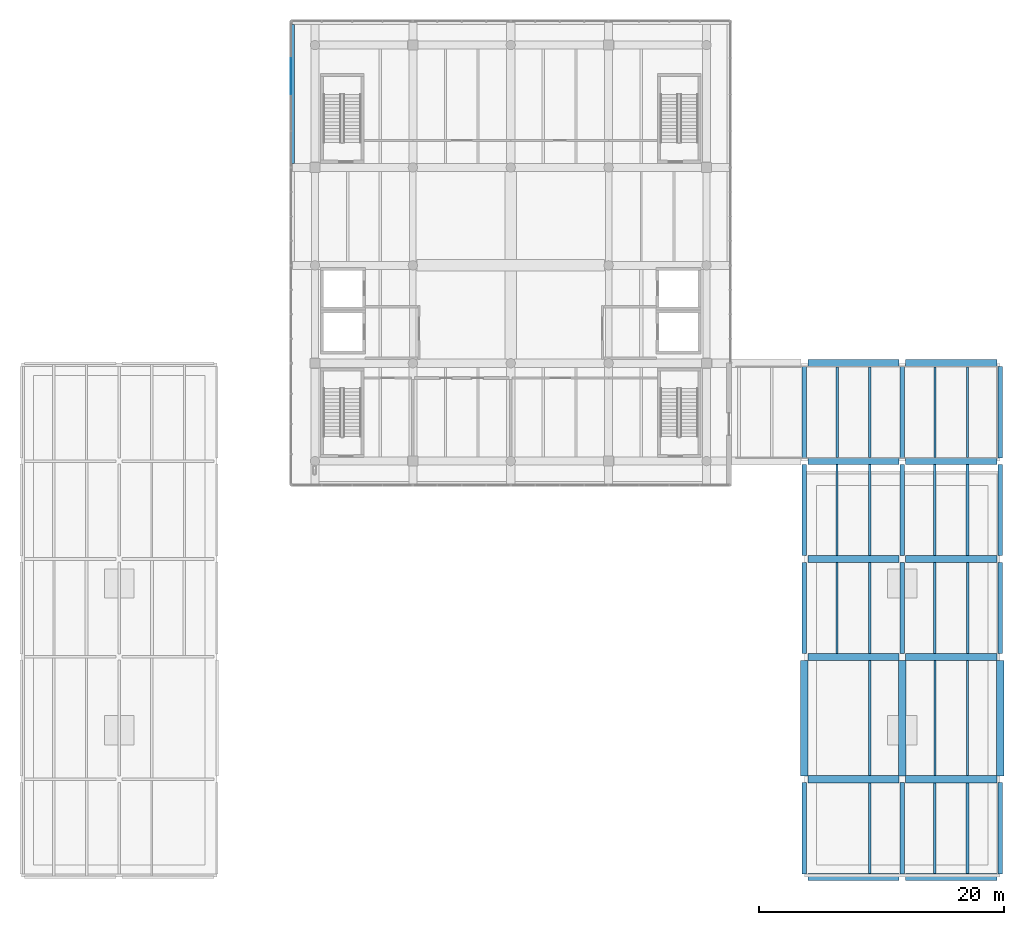
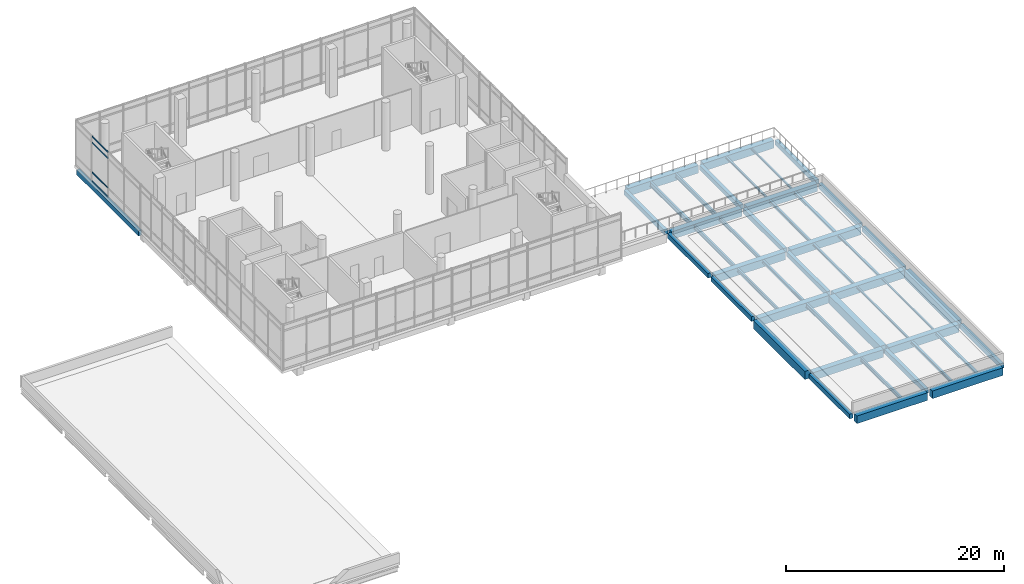
# One storey, part 7 of 20: 46 beams, 4 members, 1 element without a shape of its own.
"""IFC4 building model written with IfcOpenShell, lengths in metres."""

from ifc_helpers import new_model, si_unit, direction, frame, origin, origin_2d, place, context, subcontext, project, spatial, rectangle, i_section, extrude, material, material_profile, profile_set, type_object, element, aggregate, save


model = new_model("IFC4")

# Units and contexts
model_context = context("Model", 3, precision=1e-05, world=origin(), true_north=direction((0.0, 1.0)))
body_context = subcontext(model_context, "Body", "Model", "MODEL_VIEW")
ifc_project = project(units=[si_unit("LENGTHUNIT", "METRE"), si_unit("AREAUNIT", "SQUARE_METRE"), si_unit("VOLUMEUNIT", "CUBIC_METRE"), si_unit("PLANEANGLEUNIT", "RADIAN"), si_unit("MASSUNIT", "GRAM", prefix="KILO")], contexts=[model_context])

# Site, building, storey
site_placement = place(None, origin())
site = spatial("IfcSite", under=ifc_project, at=site_placement, CompositionType="ELEMENT")
building_placement = place(site_placement, origin())
building = spatial("IfcBuilding", under=site, at=building_placement, Name="Pecanmere Concourse Central Library", CompositionType="ELEMENT")
storey_placement = place(building_placement, frame((0.0, 0.0, 24.89990234375)))
storey = spatial("IfcBuildingStorey", under=building, at=storey_placement, Name="L06", CompositionType="ELEMENT", Elevation=24.89990234375)

# Beams
ifc_material_1 = material(Name="Concrete C40/50", Category="concrete")
ifc_material_profile_1 = material_profile(ifc_material_1, rectangle(XDim=0.360107421875, YDim=0.52001953125, at=origin_2d()), Name="RC 360x520")
ifc_profile_set_1 = profile_set([ifc_material_profile_1], Name="Concrete C40/50")
beam_type_1 = type_object("IfcBeamType", Name="BM_360x520", PredefinedType="BEAM", material=ifc_profile_set_1)
for number, where, z_axis, x_axis, name in (
    (1, (112.0, 56.27490234375, -0.559814453125), (0.0, 1.0, 0.0), (-1.0, 0.0, 0.0), "Primary Girder Y L06-2703"),
    (2, (112.0, 74.27490234375, -0.559814453125), (0.0, 1.0, 0.0), (-1.0, 0.0, 0.0), "Primary Girder Y L06-2705"),
    (3, (112.0, 82.27490234375, -0.559814453125), (0.0, 1.0, 0.0), (-1.0, 0.0, 0.0), "Primary Girder Y L06-2706"),
    (4, (112.0, 90.27490234375, -0.559814453125), (0.0, 1.0, 0.0), (-1.0, 0.0, 0.0), "Primary Girder Y L06-2707"),
    (5, (120.0, 56.27490234375, -0.559814453125), (0.0, 1.0, 0.0), (-1.0, 0.0, 0.0), "Primary Girder Y L06-2708"),
    (6, (120.0, 74.27490234375, -0.559814453125), (0.0, 1.0, 0.0), (-1.0, 0.0, 0.0), "Primary Girder Y L06-2710"),
    (7, (120.0, 82.27490234375, -0.559814453125), (0.0, 1.0, 0.0), (-1.0, 0.0, 0.0), "Primary Girder Y L06-2711"),
    (8, (120.0, 90.27490234375, -0.559814453125), (0.0, 1.0, 0.0), (-1.0, 0.0, 0.0), "Primary Girder Y L06-2712"),
    (9, (128.0, 56.27490234375, -0.559814453125), (0.0, 1.0, 0.0), (-1.0, 0.0, 0.0), "Primary Girder Y L06-2713"),
    (10, (128.0, 74.27490234375, -0.559814453125), (0.0, 1.0, 0.0), (-1.0, 0.0, 0.0), "Primary Girder Y L06-2715"),
    (11, (128.0, 82.27490234375, -0.559814453125), (0.0, 1.0, 0.0), (-1.0, 0.0, 0.0), "Primary Girder Y L06-2716"),
    (12, (128.0, 90.27490234375, -0.559814453125), (0.0, 1.0, 0.0), (-1.0, 0.0, 0.0), "Primary Girder Y L06-2717"),
):
    element("IfcBeam", number, at=place(storey_placement, frame(where, z_axis=z_axis, x_axis=x_axis)), inside=storey, type_object=beam_type_1, Name=name, PredefinedType="BEAM", context=body_context, shape_type="SweptSolid", body=[
        extrude(rectangle(XDim=0.360107421875, YDim=0.52001953125, at=origin_2d()), origin(), (0.0, 0.0, 1.0), 7.4501953125),
    ])

# Curtain wall, members
ifc_material_2 = material(Name="Anodized bronze aluminium alloy 6063-T6", Category="aluminium")
curtain_wall_type = type_object("IfcCurtainWallType", Name="CW_PLUMB_BANDED", PredefinedType="USERDEFINED", material=ifc_material_2)
curtain_wall_placement = place(storey_placement, origin())
curtain_wall = element("IfcCurtainWall", 13, at=curtain_wall_placement, inside=storey, type_object=curtain_wall_type, Name="Unitised Curtain Wall CW-02 L06-081", ObjectType="UNITISED CURTAIN WALL", PredefinedType="USERDEFINED")
ifc_material_3 = material(Name="Anodized bronze aluminium alloy 6063-T6", Category="aluminium")
ifc_material_profile_2 = material_profile(ifc_material_3, rectangle(XDim=0.06005859375, YDim=0.159912109375, at=origin_2d()), Name="AL 60x160")
ifc_profile_set_2 = profile_set([ifc_material_profile_2], Name="Anodized bronze aluminium alloy 6063-T6")
member_type = type_object("IfcMemberType", Name="CWT_160x60", PredefinedType="USERDEFINED", material=ifc_profile_set_2)
member_1_placement = place(storey_placement, frame((70.03857421875, 122.909912109375, 0.080078125), z_axis=(0.0, -1.0, 0.0), x_axis=(1.0, 0.0, 0.0)))
member_1 = element("IfcMember", 14, at=member_1_placement, type_object=member_type, Name="CW-02 Transom 2.1", ObjectType="TRANSOM", PredefinedType="USERDEFINED", context=body_context, shape_type="SweptSolid", body=[
    extrude(rectangle(XDim=0.06005859375, YDim=0.159912109375, at=origin_2d()), origin(), (0.0, 0.0, 1.0), 2.9140625),
])
member_2_placement = place(storey_placement, frame((70.03857421875, 122.909912109375, 1.050048828125), z_axis=(0.0, -1.0, 0.0), x_axis=(1.0, 0.0, 0.0)))
member_2 = element("IfcMember", 15, at=member_2_placement, type_object=member_type, Name="CW-02 Transom 2.2", ObjectType="TRANSOM", PredefinedType="USERDEFINED", context=body_context, shape_type="SweptSolid", body=[
    extrude(rectangle(XDim=0.06005859375, YDim=0.159912109375, at=origin_2d()), origin(), (0.0, 0.0, 1.0), 2.9140625),
])
member_3_placement = place(storey_placement, frame((70.03857421875, 122.909912109375, 4.39013671875), z_axis=(0.0, -1.0, 0.0), x_axis=(1.0, 0.0, 0.0)))
member_3 = element("IfcMember", 16, at=member_3_placement, type_object=member_type, Name="CW-02 Transom 2.3", ObjectType="TRANSOM", PredefinedType="USERDEFINED", context=body_context, shape_type="SweptSolid", body=[
    extrude(rectangle(XDim=0.06005859375, YDim=0.159912109375, at=origin_2d()), origin(), (0.0, 0.0, 1.0), 2.9140625),
])
member_4_placement = place(storey_placement, frame((70.03857421875, 122.909912109375, 5.06005859375), z_axis=(0.0, -1.0, 0.0), x_axis=(1.0, 0.0, 0.0)))
member_4 = element("IfcMember", 17, at=member_4_placement, type_object=member_type, Name="CW-02 Transom 2.4", ObjectType="TRANSOM", PredefinedType="USERDEFINED", context=body_context, shape_type="SweptSolid", body=[
    extrude(rectangle(XDim=0.06005859375, YDim=0.159912109375, at=origin_2d()), origin(), (0.0, 0.0, 1.0), 2.9140625),
])
aggregate(curtain_wall, [member_1, member_2, member_3, member_4])

# Beams
ifc_material_4 = material(Name="Concrete C40/50", Category="concrete")
ifc_material_profile_3 = material_profile(ifc_material_4, rectangle(XDim=0.580078125, YDim=0.860107421875, at=origin_2d()), Name="RC 580x860")
ifc_profile_set_3 = profile_set([ifc_material_profile_3], Name="Concrete C40/50")
beam_type_2 = type_object("IfcBeamType", Name="GRD_580x860", PredefinedType="USERDEFINED", material=ifc_profile_set_3)
for number, where, z_axis, x_axis, name in (
    (18, (112.27490234375, 56.0, -0.72998046875), (1.0, 0.0, 0.0), (0.0, 1.0, 0.0), "Primary Girder X L06-2626"),
    (19, (120.27490234375, 56.0, -0.72998046875), (1.0, 0.0, 0.0), (0.0, 1.0, 0.0), "Primary Girder X L06-2627"),
    (20, (112.27490234375, 64.0, -0.72998046875), (1.0, 0.0, 0.0), (0.0, 1.0, 0.0), "Primary Girder X L06-2630"),
    (21, (120.27490234375, 64.0, -0.72998046875), (1.0, 0.0, 0.0), (0.0, 1.0, 0.0), "Primary Girder X L06-2631"),
    (22, (112.27490234375, 74.0, -0.72998046875), (1.0, 0.0, 0.0), (0.0, 1.0, 0.0), "Primary Girder X L06-2634"),
    (23, (120.27490234375, 74.0, -0.72998046875), (1.0, 0.0, 0.0), (0.0, 1.0, 0.0), "Primary Girder X L06-2635"),
    (24, (112.27490234375, 82.0, -0.72998046875), (1.0, 0.0, 0.0), (0.0, 1.0, 0.0), "Primary Girder X L06-2638"),
    (25, (120.27490234375, 82.0, -0.72998046875), (1.0, 0.0, 0.0), (0.0, 1.0, 0.0), "Primary Girder X L06-2639"),
    (26, (112.27490234375, 90.0, -0.72998046875), (1.0, 0.0, 0.0), (0.0, 1.0, 0.0), "Primary Girder X L06-2647"),
    (27, (120.27490234375, 90.0, -0.72998046875), (1.0, 0.0, 0.0), (0.0, 1.0, 0.0), "Primary Girder X L06-2648"),
    (28, (112.27490234375, 98.0, -0.72998046875), (1.0, 0.0, 0.0), (0.0, 1.0, 0.0), "Primary Girder X L06-2656"),
    (29, (120.27490234375, 98.0, -0.72998046875), (1.0, 0.0, 0.0), (0.0, 1.0, 0.0), "Primary Girder X L06-2657"),
):
    element("IfcBeam", number, at=place(storey_placement, frame(where, z_axis=z_axis, x_axis=x_axis)), inside=storey, type_object=beam_type_2, Name=name, ObjectType="GIRDER", PredefinedType="USERDEFINED", context=body_context, shape_type="SweptSolid", body=[
        extrude(rectangle(XDim=0.580078125, YDim=0.860107421875, at=origin_2d()), origin(), (0.0, 0.0, 1.0), 7.4501953125),
    ])
ifc_material_5 = material(Name="Concrete C40/50", Category="concrete")
ifc_material_profile_4 = material_profile(ifc_material_5, rectangle(XDim=0.6201171875, YDim=0.919921875, at=origin_2d()), Name="RC 620x920")
ifc_profile_set_4 = profile_set([ifc_material_profile_4], Name="Concrete C40/50")
beam_type_3 = type_object("IfcBeamType", Name="GRD_620x920", PredefinedType="USERDEFINED", material=ifc_profile_set_4)
for number, where, z_axis, x_axis, name in (
    (30, (112.0, 64.27490234375, -0.760009765625), (0.0, 1.0, 0.0), (-1.0, 0.0, 0.0), "Primary Girder Y L06-2704"),
    (31, (120.0, 64.27490234375, -0.760009765625), (0.0, 1.0, 0.0), (-1.0, 0.0, 0.0), "Primary Girder Y L06-2709"),
    (32, (128.0, 64.27490234375, -0.760009765625), (0.0, 1.0, 0.0), (-1.0, 0.0, 0.0), "Primary Girder Y L06-2714"),
):
    element("IfcBeam", number, at=place(storey_placement, frame(where, z_axis=z_axis, x_axis=x_axis)), inside=storey, type_object=beam_type_3, Name=name, ObjectType="GIRDER", PredefinedType="USERDEFINED", context=body_context, shape_type="SweptSolid", body=[
        extrude(rectangle(XDim=0.6201171875, YDim=0.919921875, at=origin_2d()), origin(), (0.0, 0.0, 1.0), 9.4501953125),
    ])
ifc_material_6 = material(Name="Structural steel ASTM A992 Grade 50", Category="steel")
ifc_material_profile_5 = material_profile(ifc_material_6, i_section(OverallWidth=0.152099609375, OverallDepth=0.152099609375, WebThickness=0.005859375, FlangeThickness=0.006591796875, at=origin_2d()), Name="W150x22.5")
ifc_profile_set_5 = profile_set([ifc_material_profile_5], Name="Structural steel ASTM A992 Grade 50")
beam_type_4 = type_object("IfcBeamType", Name="SBM_W150x22", PredefinedType="LINTEL", material=ifc_profile_set_5)
beam_1_placement = place(storey_placement, frame((125.333251953125, 64.2900390625, -0.3759765625), z_axis=(0.0, 1.0, 0.0), x_axis=(-1.0, 0.0, 0.0)))
element("IfcBeam", 33, at=beam_1_placement, inside=storey, type_object=beam_type_4, Name="Secondary Floor Joist L06-2779", PredefinedType="LINTEL", context=body_context, shape_type="SweptSolid", body=[
    extrude(i_section(OverallWidth=0.152099609375, OverallDepth=0.152099609375, WebThickness=0.005859375, FlangeThickness=0.006591796875, at=origin_2d()), origin(), (0.0, 0.0, 1.0), 9.419921875),
])
beam_2_placement = place(storey_placement, frame((125.333251953125, 90.2900390625, -0.3759765625), z_axis=(0.0, 1.0, 0.0), x_axis=(-1.0, 0.0, 0.0)))
element("IfcBeam", 34, at=beam_2_placement, inside=storey, type_object=beam_type_4, Name="Secondary Floor Joist L06-2785", PredefinedType="LINTEL", context=body_context, shape_type="SweptSolid", body=[
    extrude(i_section(OverallWidth=0.152099609375, OverallDepth=0.152099609375, WebThickness=0.005859375, FlangeThickness=0.006591796875, at=origin_2d()), origin(), (0.0, 0.0, 1.0), 7.419921875),
])
ifc_material_7 = material(Name="Structural steel ASTM A992 Grade 50", Category="steel")
ifc_material_profile_6 = material_profile(ifc_material_7, i_section(OverallWidth=0.1650390625, OverallDepth=0.200927734375, WebThickness=0.006103515625, FlangeThickness=0.01025390625, at=origin_2d()), Name="W200x35.9")
ifc_profile_set_6 = profile_set([ifc_material_profile_6], Name="Structural steel ASTM A992 Grade 50")
beam_type_5 = type_object("IfcBeamType", Name="SBM_W200x36", PredefinedType="LINTEL", material=ifc_profile_set_6)
beam_3_placement = place(storey_placement, frame((122.666748046875, 64.2900390625, -0.400390625), z_axis=(0.0, 1.0, 0.0), x_axis=(-1.0, 0.0, 0.0)))
element("IfcBeam", 35, at=beam_3_placement, inside=storey, type_object=beam_type_5, Name="Secondary Floor Joist L06-2778", PredefinedType="LINTEL", context=body_context, shape_type="SweptSolid", body=[
    extrude(i_section(OverallWidth=0.1650390625, OverallDepth=0.200927734375, WebThickness=0.006103515625, FlangeThickness=0.01025390625, at=origin_2d()), origin(), (0.0, 0.0, 1.0), 9.419921875),
])
beam_4_placement = place(storey_placement, frame((122.666748046875, 90.2900390625, -0.400390625), z_axis=(0.0, 1.0, 0.0), x_axis=(-1.0, 0.0, 0.0)))
element("IfcBeam", 36, at=beam_4_placement, inside=storey, type_object=beam_type_5, Name="Secondary Floor Joist L06-2784", PredefinedType="LINTEL", context=body_context, shape_type="SweptSolid", body=[
    extrude(i_section(OverallWidth=0.1650390625, OverallDepth=0.200927734375, WebThickness=0.006103515625, FlangeThickness=0.01025390625, at=origin_2d()), origin(), (0.0, 0.0, 1.0), 7.419921875),
])
ifc_material_8 = material(Name="Structural steel ASTM A992 Grade 50", Category="steel")
ifc_material_profile_7 = material_profile(ifc_material_8, i_section(OverallWidth=0.2041015625, OverallDepth=0.2060546875, WebThickness=0.0078125, FlangeThickness=0.0126953125, at=origin_2d()), Name="W200x52")
ifc_profile_set_7 = profile_set([ifc_material_profile_7], Name="Structural steel ASTM A992 Grade 50")
beam_type_6 = type_object("IfcBeamType", Name="SBM_W200x52", PredefinedType="JOIST", material=ifc_profile_set_7)
beam_5_placement = place(storey_placement, frame((125.333251953125, 74.2900390625, -0.40283203125), z_axis=(0.0, 1.0, 0.0), x_axis=(-1.0, 0.0, 0.0)))
element("IfcBeam", 37, at=beam_5_placement, inside=storey, type_object=beam_type_6, Name="Secondary Floor Joist L06-2781", PredefinedType="JOIST", context=body_context, shape_type="SweptSolid", body=[
    extrude(i_section(OverallWidth=0.2041015625, OverallDepth=0.2060546875, WebThickness=0.0078125, FlangeThickness=0.0126953125, at=origin_2d()), origin(), (0.0, 0.0, 1.0), 7.419921875),
])
ifc_material_9 = material(Name="Structural steel ASTM A992 Grade 50", Category="steel")
ifc_material_profile_8 = material_profile(ifc_material_9, i_section(OverallWidth=0.201904296875, OverallDepth=0.2470703125, WebThickness=0.00732421875, FlangeThickness=0.010986328125, at=origin_2d()), Name="W250x49.1")
ifc_profile_set_8 = profile_set([ifc_material_profile_8], Name="Structural steel ASTM A992 Grade 50")
beam_type_7 = type_object("IfcBeamType", Name="SBM_W250x49", PredefinedType="JOIST", material=ifc_profile_set_8)
beam_6_placement = place(storey_placement, frame((122.666748046875, 74.2900390625, -0.42333984375), z_axis=(0.0, 1.0, 0.0), x_axis=(-1.0, 0.0, 0.0)))
element("IfcBeam", 38, at=beam_6_placement, inside=storey, type_object=beam_type_7, Name="Secondary Floor Joist L06-2780", PredefinedType="JOIST", context=body_context, shape_type="SweptSolid", body=[
    extrude(i_section(OverallWidth=0.201904296875, OverallDepth=0.2470703125, WebThickness=0.00732421875, FlangeThickness=0.010986328125, at=origin_2d()), origin(), (0.0, 0.0, 1.0), 7.419921875),
])
ifc_material_10 = material(Name="Structural steel ASTM A992 Grade 50", Category="steel")
ifc_material_profile_9 = material_profile(ifc_material_10, i_section(OverallWidth=0.25390625, OverallDepth=0.2529296875, WebThickness=0.008544921875, FlangeThickness=0.01416015625, at=origin_2d()), Name="W250x73")
ifc_profile_set_9 = profile_set([ifc_material_profile_9], Name="Structural steel ASTM A992 Grade 50")
beam_type_8 = type_object("IfcBeamType", Name="SBM_W250x73", PredefinedType="BEAM", material=ifc_profile_set_9)
for number, where, z_axis, x_axis, name in (
    (39, (125.333251953125, 56.2900390625, -0.426513671875), (0.0, 1.0, 0.0), (-1.0, 0.0, 0.0), "Secondary Floor Joist L06-2777"),
    (40, (125.333251953125, 82.2900390625, -0.426513671875), (0.0, 1.0, 0.0), (-1.0, 0.0, 0.0), "Secondary Floor Joist L06-2783"),
):
    element("IfcBeam", number, at=place(storey_placement, frame(where, z_axis=z_axis, x_axis=x_axis)), inside=storey, type_object=beam_type_8, Name=name, PredefinedType="BEAM", context=body_context, shape_type="SweptSolid", body=[
        extrude(i_section(OverallWidth=0.25390625, OverallDepth=0.2529296875, WebThickness=0.008544921875, FlangeThickness=0.01416015625, at=origin_2d()), origin(), (0.0, 0.0, 1.0), 7.419921875),
    ])
ifc_material_11 = material(Name="Structural steel ASTM A992 Grade 50", Category="steel")
ifc_material_profile_10 = material_profile(ifc_material_11, i_section(OverallWidth=0.205078125, OverallDepth=0.31005859375, WebThickness=0.009521484375, FlangeThickness=0.016357421875, at=origin_2d()), Name="W310x74")
ifc_profile_set_10 = profile_set([ifc_material_profile_10], Name="Structural steel ASTM A992 Grade 50")
beam_type_9 = type_object("IfcBeamType", Name="SBM_W310x74", PredefinedType="BEAM", material=ifc_profile_set_10)
for number, where, z_axis, x_axis, name in (
    (41, (122.666748046875, 56.2900390625, -0.454833984375), (0.0, 1.0, 0.0), (-1.0, 0.0, 0.0), "Secondary Floor Joist L06-2776"),
    (42, (122.666748046875, 82.2900390625, -0.454833984375), (0.0, 1.0, 0.0), (-1.0, 0.0, 0.0), "Secondary Floor Joist L06-2782"),
):
    element("IfcBeam", number, at=place(storey_placement, frame(where, z_axis=z_axis, x_axis=x_axis)), inside=storey, type_object=beam_type_9, Name=name, PredefinedType="BEAM", context=body_context, shape_type="SweptSolid", body=[
        extrude(i_section(OverallWidth=0.205078125, OverallDepth=0.31005859375, WebThickness=0.009521484375, FlangeThickness=0.016357421875, at=origin_2d()), origin(), (0.0, 0.0, 1.0), 7.419921875),
    ])
ifc_material_12 = material(Name="Structural steel ASTM A992 Grade 50", Category="steel")
ifc_material_profile_11 = material_profile(ifc_material_12, i_section(OverallWidth=0.202880859375, OverallDepth=0.346923828125, WebThickness=0.0078125, FlangeThickness=0.013427734375, at=origin_2d()), Name="W360x64")
ifc_profile_set_11 = profile_set([ifc_material_profile_11], Name="Structural steel ASTM A992 Grade 50")
beam_type_10 = type_object("IfcBeamType", Name="SBM_W360x64", PredefinedType="JOIST", material=ifc_profile_set_11)
beam_7_placement = place(storey_placement, frame((117.333251953125, 74.2900390625, -0.473388671875), z_axis=(0.0, 1.0, 0.0), x_axis=(-1.0, 0.0, 0.0)))
element("IfcBeam", 43, at=beam_7_placement, inside=storey, type_object=beam_type_10, Name="Secondary Floor Joist L06-2771", PredefinedType="JOIST", context=body_context, shape_type="SweptSolid", body=[
    extrude(i_section(OverallWidth=0.202880859375, OverallDepth=0.346923828125, WebThickness=0.0078125, FlangeThickness=0.013427734375, at=origin_2d()), origin(), (0.0, 0.0, 1.0), 7.419921875),
])
ifc_material_13 = material(Name="Structural steel ASTM A992 Grade 50", Category="steel")
ifc_material_profile_12 = material_profile(ifc_material_13, i_section(OverallWidth=0.177978515625, OverallDepth=0.406982421875, WebThickness=0.0078125, FlangeThickness=0.0126953125, at=origin_2d()), Name="W410x60")
ifc_profile_set_12 = profile_set([ifc_material_profile_12], Name="Structural steel ASTM A992 Grade 50")
beam_type_11 = type_object("IfcBeamType", Name="SBM_W410x60", PredefinedType="JOIST", material=ifc_profile_set_12)
beam_8_placement = place(storey_placement, frame((114.666748046875, 74.2900390625, -0.50341796875), z_axis=(0.0, 1.0, 0.0), x_axis=(-1.0, 0.0, 0.0)))
element("IfcBeam", 44, at=beam_8_placement, inside=storey, type_object=beam_type_11, Name="Secondary Floor Joist L06-2770", PredefinedType="JOIST", context=body_context, shape_type="SweptSolid", body=[
    extrude(i_section(OverallWidth=0.177978515625, OverallDepth=0.406982421875, WebThickness=0.0078125, FlangeThickness=0.0126953125, at=origin_2d()), origin(), (0.0, 0.0, 1.0), 7.419921875),
])
ifc_material_14 = material(Name="Structural steel ASTM A992 Grade 50", Category="steel")
ifc_material_profile_13 = material_profile(ifc_material_14, i_section(OverallWidth=0.180908203125, OverallDepth=0.4169921875, WebThickness=0.010986328125, FlangeThickness=0.018310546875, at=origin_2d()), Name="W410x85")
ifc_profile_set_13 = profile_set([ifc_material_profile_13], Name="Structural steel ASTM A992 Grade 50")
beam_type_12 = type_object("IfcBeamType", Name="SBM_W410x85", PredefinedType="BEAM", material=ifc_profile_set_13)
for number, where, z_axis, x_axis, name in (
    (45, (117.333251953125, 56.2900390625, -0.50830078125), (0.0, 1.0, 0.0), (-1.0, 0.0, 0.0), "Secondary Floor Joist L06-2768"),
    (46, (117.333251953125, 82.2900390625, -0.50830078125), (0.0, 1.0, 0.0), (-1.0, 0.0, 0.0), "Secondary Floor Joist L06-2773"),
):
    element("IfcBeam", number, at=place(storey_placement, frame(where, z_axis=z_axis, x_axis=x_axis)), inside=storey, type_object=beam_type_12, Name=name, PredefinedType="BEAM", context=body_context, shape_type="SweptSolid", body=[
        extrude(i_section(OverallWidth=0.180908203125, OverallDepth=0.4169921875, WebThickness=0.010986328125, FlangeThickness=0.018310546875, at=origin_2d()), origin(), (0.0, 0.0, 1.0), 7.419921875),
    ])
ifc_material_15 = material(Name="Structural steel ASTM A992 Grade 50", Category="steel")
ifc_material_profile_14 = material_profile(ifc_material_15, i_section(OverallWidth=0.194091796875, OverallDepth=0.468994140625, WebThickness=0.0126953125, FlangeThickness=0.0205078125, at=origin_2d()), Name="W460x106")
ifc_profile_set_14 = profile_set([ifc_material_profile_14], Name="Structural steel ASTM A992 Grade 50")
beam_type_13 = type_object("IfcBeamType", Name="SBM_W460x106", PredefinedType="USERDEFINED", material=ifc_profile_set_14)
beam_9_placement = place(storey_placement, frame((117.333251953125, 64.2900390625, -0.534423828125), z_axis=(0.0, 1.0, 0.0), x_axis=(-1.0, 0.0, 0.0)))
element("IfcBeam", 47, at=beam_9_placement, inside=storey, type_object=beam_type_13, Name="Secondary Floor Joist L06-2769", ObjectType="GIRDER", PredefinedType="USERDEFINED", context=body_context, shape_type="SweptSolid", body=[
    extrude(i_section(OverallWidth=0.194091796875, OverallDepth=0.468994140625, WebThickness=0.0126953125, FlangeThickness=0.0205078125, at=origin_2d()), origin(), (0.0, 0.0, 1.0), 9.419921875),
])
beam_10_placement = place(storey_placement, frame((117.333251953125, 90.2900390625, -0.534423828125), z_axis=(0.0, 1.0, 0.0), x_axis=(-1.0, 0.0, 0.0)))
element("IfcBeam", 48, at=beam_10_placement, inside=storey, type_object=beam_type_13, Name="Secondary Floor Joist L06-2775", ObjectType="GIRDER", PredefinedType="USERDEFINED", context=body_context, shape_type="SweptSolid", body=[
    extrude(i_section(OverallWidth=0.194091796875, OverallDepth=0.468994140625, WebThickness=0.0126953125, FlangeThickness=0.0205078125, at=origin_2d()), origin(), (0.0, 0.0, 1.0), 7.419921875),
])
ifc_material_16 = material(Name="Structural steel ASTM A992 Grade 50", Category="steel")
ifc_material_profile_15 = material_profile(ifc_material_16, i_section(OverallWidth=0.18994140625, OverallDepth=0.45703125, WebThickness=0.009033203125, FlangeThickness=0.014404296875, at=origin_2d()), Name="W460x74")
ifc_profile_set_15 = profile_set([ifc_material_profile_15], Name="Structural steel ASTM A992 Grade 50")
beam_type_14 = type_object("IfcBeamType", Name="SBM_W460x74", PredefinedType="BEAM", material=ifc_profile_set_15)
beam_11_placement = place(storey_placement, frame((114.666748046875, 82.2900390625, -0.5283203125), z_axis=(0.0, 1.0, 0.0), x_axis=(-1.0, 0.0, 0.0)))
element("IfcBeam", 49, at=beam_11_placement, inside=storey, type_object=beam_type_14, Name="Secondary Floor Joist L06-2772", PredefinedType="BEAM", context=body_context, shape_type="SweptSolid", body=[
    extrude(i_section(OverallWidth=0.18994140625, OverallDepth=0.45703125, WebThickness=0.009033203125, FlangeThickness=0.014404296875, at=origin_2d()), origin(), (0.0, 0.0, 1.0), 7.419921875),
])
ifc_material_17 = material(Name="Structural steel ASTM A992 Grade 50", Category="steel")
ifc_material_profile_16 = material_profile(ifc_material_17, i_section(OverallWidth=0.208984375, OverallDepth=0.532958984375, WebThickness=0.01025390625, FlangeThickness=0.015625, at=origin_2d()), Name="W530x92")
ifc_profile_set_16 = profile_set([ifc_material_profile_16], Name="Structural steel ASTM A992 Grade 50")
beam_type_15 = type_object("IfcBeamType", Name="SBM_W530x92", PredefinedType="BEAM", material=ifc_profile_set_16)
beam_12_placement = place(storey_placement, frame((114.666748046875, 90.2900390625, -0.56640625), z_axis=(0.0, 1.0, 0.0), x_axis=(-1.0, 0.0, 0.0)))
element("IfcBeam", 50, at=beam_12_placement, inside=storey, type_object=beam_type_15, Name="Secondary Floor Joist L06-2774", PredefinedType="BEAM", context=body_context, shape_type="SweptSolid", body=[
    extrude(i_section(OverallWidth=0.208984375, OverallDepth=0.532958984375, WebThickness=0.01025390625, FlangeThickness=0.015625, at=origin_2d()), origin(), (0.0, 0.0, 1.0), 7.419921875),
])
ifc_material_18 = material(Name="Concrete C40/50", Category="concrete")
ifc_material_profile_17 = material_profile(ifc_material_18, rectangle(XDim=0.340087890625, YDim=0.580078125, at=origin_2d()), Name="RC 340x580")
ifc_profile_set_17 = profile_set([ifc_material_profile_17], Name="Concrete C40/50")
beam_type_16 = type_object("IfcBeamType", Name="SPB_340x580", PredefinedType="BEAM", material=ifc_profile_set_17)
beam_13_placement = place(storey_placement, frame((70.1484375, 114.330078125, -0.58984375), z_axis=(0.0, 1.0, 0.0), x_axis=(-1.0, 0.0, 0.0)))
element("IfcBeam", 51, at=beam_13_placement, inside=storey, type_object=beam_type_16, Name="Leaning Facade Edge Beam L06-2727", PredefinedType="BEAM", context=body_context, shape_type="SweptSolid", body=[
    extrude(rectangle(XDim=0.340087890625, YDim=0.580078125, at=origin_2d()), origin(), (0.0, 0.0, 1.0), 11.351318359375),
])

save(model, "model.ifc")
